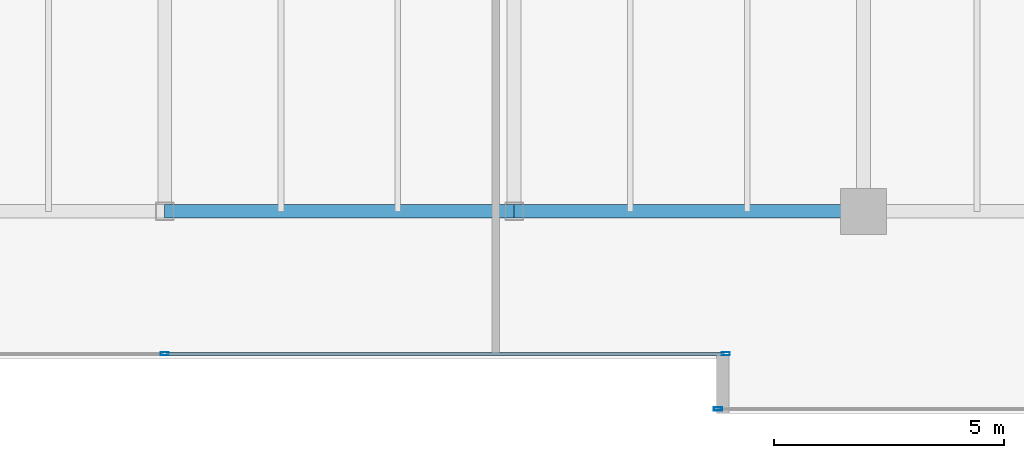
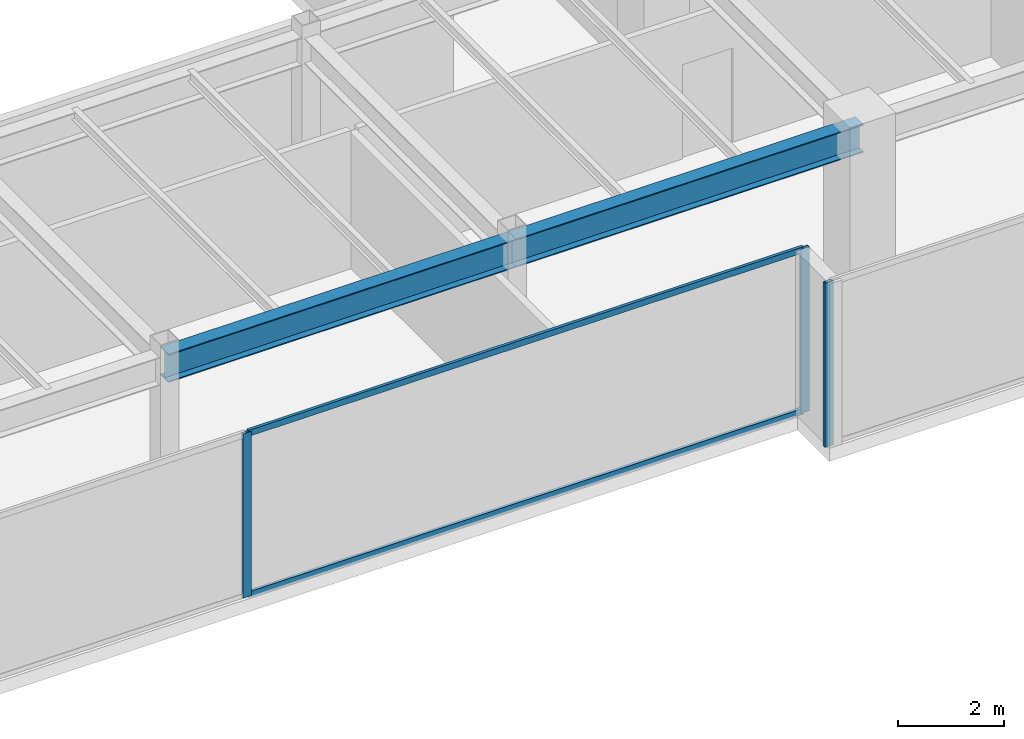
# One storey, part 11 of 33: 5 members, 2 beams, 2 elements without a shape of their own.
"""IFC4 building model written with IfcOpenShell, lengths in metres."""

from ifc_helpers import new_model, si_unit, direction, frame, origin, origin_2d, place, context, subcontext, project, spatial, hollow_rectangle, i_section, extrude, source, transform, mapped, material, layer, layer_set, material_profile, profile_set, type_object, type_shapes, element, aggregate, save


model = new_model("IFC4")

# Units and contexts
model_context = context("Model", 3, precision=1e-05, world=origin(), true_north=direction((0.0, 1.0)))
body_context = subcontext(model_context, "Body", "Model", "MODEL_VIEW")
ifc_project = project(units=[si_unit("LENGTHUNIT", "METRE"), si_unit("AREAUNIT", "SQUARE_METRE"), si_unit("VOLUMEUNIT", "CUBIC_METRE"), si_unit("PLANEANGLEUNIT", "RADIAN"), si_unit("MASSUNIT", "GRAM", prefix="KILO")], contexts=[model_context])

# Site, building, storey
site_placement = place(None, origin())
site = spatial("IfcSite", under=ifc_project, at=site_placement, CompositionType="ELEMENT")
building_placement = place(site_placement, origin())
building = spatial("IfcBuilding", under=site, at=building_placement, Name="Haelvirn Gate Laboratories", CompositionType="ELEMENT")
storey_placement = place(building_placement, frame((0.0, 0.0, 279.300048828125)))
storey = spatial("IfcBuildingStorey", under=building, at=storey_placement, Name="L67", CompositionType="ELEMENT", Elevation=279.300048828125)

# Beams
ifc_material_1 = material(Name="Steel SM355", Category="steel")
ifc_material_profile_1 = material_profile(ifc_material_1, i_section(OverallWidth=0.300048828125, OverallDepth=0.64990234375, WebThickness=0.012939453125, FlangeThickness=0.02197265625, at=origin_2d()), Name="H-650x300x13x22")
ifc_profile_set_1 = profile_set([ifc_material_profile_1], Name="Steel SM355")
beam_type = type_object("IfcBeamType", Name="BM-G-650", PredefinedType="BEAM", material=ifc_profile_set_1)
shared_shape_1 = source(origin(), body_context, "Body", "SweptSolid", [
    extrude(i_section(OverallWidth=0.300048828125, OverallDepth=0.64990234375, WebThickness=0.012939453125, FlangeThickness=0.02197265625, at=origin_2d()), origin(), (0.0, 0.0, 1.0), 7.60009765625),
])
type_shapes(beam_type, [shared_shape_1])
for number, where, z_axis, x_axis, name in (
    (1, (37.39990234375, 7.0, 3.474853515625), (1.0, 0.0, 0.0), (0.0, 1.0, 0.0), "L67 Primary Girder Y7.0 (37.4-45.0)"),
    (2, (45.0, 7.0, 3.474853515625), (1.0, 0.0, 0.0), (0.0, 1.0, 0.0), "L67 Primary Girder Y7.0 (45.0-52.6)"),
):
    element("IfcBeam", number, at=place(storey_placement, frame(where, z_axis=z_axis, x_axis=x_axis)), inside=storey, type_object=beam_type, Name=name, PredefinedType="BEAM", context=body_context, shape_type="MappedRepresentation", body=[
        mapped(shared_shape_1, transform((0.0, 0.0, 0.0), scale=1.0)),
    ])

# Curtain wall, members
ifc_material_2 = material(Name="Anodised bronze unitised aluminium & triple low-E glass", Category="aluminium")
ifc_layer = layer(ifc_material_2, 0.176025390625, Name="CW-SYS-4")
ifc_layer_set = layer_set([ifc_layer], Name="Anodised bronze unitised aluminium & triple low-E glass")
curtain_wall_type = type_object("IfcCurtainWallType", Name="CW-SYS-4", PredefinedType="NOTDEFINED", material=ifc_layer_set)
curtain_wall_1_placement = place(storey_placement, origin())
curtain_wall_1 = element("IfcCurtainWall", 3, at=curtain_wall_1_placement, inside=storey, type_object=curtain_wall_type, Name="L67 Unitised Curtain Wall CW-L67-P0-E02-1", PredefinedType="NOTDEFINED")
ifc_material_3 = material(Name="Extruded aluminium 6063-T6 (anodised bronze)", Category="aluminium")
ifc_material_profile_2 = material_profile(ifc_material_3, hollow_rectangle(XDim=0.06494140625, YDim=0.139892578125, WallThickness=0.00390625, at=origin_2d()), Name="CWT-140x65x4")
ifc_profile_set_2 = profile_set([ifc_material_profile_2], Name="Extruded aluminium 6063-T6 (anodised bronze)")
member_type_1 = type_object("IfcMemberType", Name="CWT-T140", PredefinedType="USERDEFINED", material=ifc_profile_set_2)
shared_shape_2 = source(origin(), body_context, "Body", "SweptSolid", [
    extrude(hollow_rectangle(XDim=0.06494140625, YDim=0.139892578125, WallThickness=0.00390625, at=origin_2d()), origin(), (0.0, 0.0, 1.0), 12.135009765625),
])
type_shapes(member_type_1, [shared_shape_2])
member_1_placement = place(storey_placement, frame((37.43505859375, 3.89990234375, 0.032470703125), z_axis=(1.0, 0.0, 0.0), x_axis=(0.0, 1.0, 0.0)))
member_1 = element("IfcMember", 4, at=member_1_placement, type_object=member_type_1, Name="CW4 transom 2.1", ObjectType="TRANSOM", PredefinedType="USERDEFINED", context=body_context, shape_type="MappedRepresentation", body=[
    mapped(shared_shape_2, transform((0.0, 0.0, 0.0), scale=1.0)),
])
member_2_placement = place(storey_placement, frame((37.43505859375, 3.89990234375, 3.767333984375), z_axis=(1.0, 0.0, 0.0), x_axis=(0.0, 1.0, 0.0)))
member_2 = element("IfcMember", 5, at=member_2_placement, type_object=member_type_1, Name="CW4 transom 2.2", ObjectType="TRANSOM", PredefinedType="USERDEFINED", context=body_context, shape_type="MappedRepresentation", body=[
    mapped(shared_shape_2, transform((0.0, 0.0, 0.0), scale=1.0)),
])
ifc_material_profile_3 = material_profile(ifc_material_3, hollow_rectangle(XDim=0.070068359375, YDim=0.179931640625, WallThickness=0.0048828125, at=origin_2d()), Name="CWM-180x70x5")
ifc_profile_set_3 = profile_set([ifc_material_profile_3], Name="Extruded aluminium 6063-T6 (anodised bronze)")
member_type_2 = type_object("IfcMemberType", Name="CWM-T180", PredefinedType="MULLION", material=ifc_profile_set_3)
shared_shape_3 = source(origin(), body_context, "Body", "SweptSolid", [
    extrude(hollow_rectangle(XDim=0.070068359375, YDim=0.179931640625, WallThickness=0.0048828125, at=origin_2d()), origin(), (0.0, 0.0, 1.0), 3.800048828125),
])
type_shapes(member_type_2, [shared_shape_3])
member_3_placement = place(storey_placement, frame((37.39990234375, 3.89990234375, 0.0), z_axis=(0.0, 0.0, 1.0), x_axis=(0.0, 1.0, 0.0)))
member_3 = element("IfcMember", 6, at=member_3_placement, type_object=member_type_2, Name="CW4 mullion 2", PredefinedType="MULLION", context=body_context, shape_type="MappedRepresentation", body=[
    mapped(shared_shape_3, transform((0.0, 0.0, 0.0), scale=1.0)),
])
member_4_placement = place(storey_placement, frame((49.60498046875, 3.89990234375, 0.0), z_axis=(0.0, 0.0, 1.0), x_axis=(0.0, 1.0, 0.0)))
member_4 = element("IfcMember", 7, at=member_4_placement, type_object=member_type_2, Name="CW4 mullion 3", PredefinedType="MULLION", context=body_context, shape_type="MappedRepresentation", body=[
    mapped(shared_shape_3, transform((0.0, 0.0, 0.0), scale=1.0)),
])
aggregate(curtain_wall_1, [member_3, member_4, member_1, member_2])

# Curtain wall, member
curtain_wall_2_placement = place(storey_placement, origin())
curtain_wall_2 = element("IfcCurtainWall", 8, at=curtain_wall_2_placement, inside=storey, type_object=curtain_wall_type, Name="L67 Unitised Curtain Wall CW-L67-P0-E04-1", PredefinedType="NOTDEFINED")
member_5_placement = place(storey_placement, frame((49.43505859375, 2.699951171875, 0.0), z_axis=(0.0, 0.0, 1.0), x_axis=(0.0, 1.0, 0.0)))
member_5 = element("IfcMember", 9, at=member_5_placement, type_object=member_type_2, Name="CW4 mullion 1", PredefinedType="MULLION", context=body_context, shape_type="MappedRepresentation", body=[
    mapped(shared_shape_3, transform((0.0, 0.0, 0.0), scale=1.0)),
])
aggregate(curtain_wall_2, [member_5])

save(model, "model.ifc")
